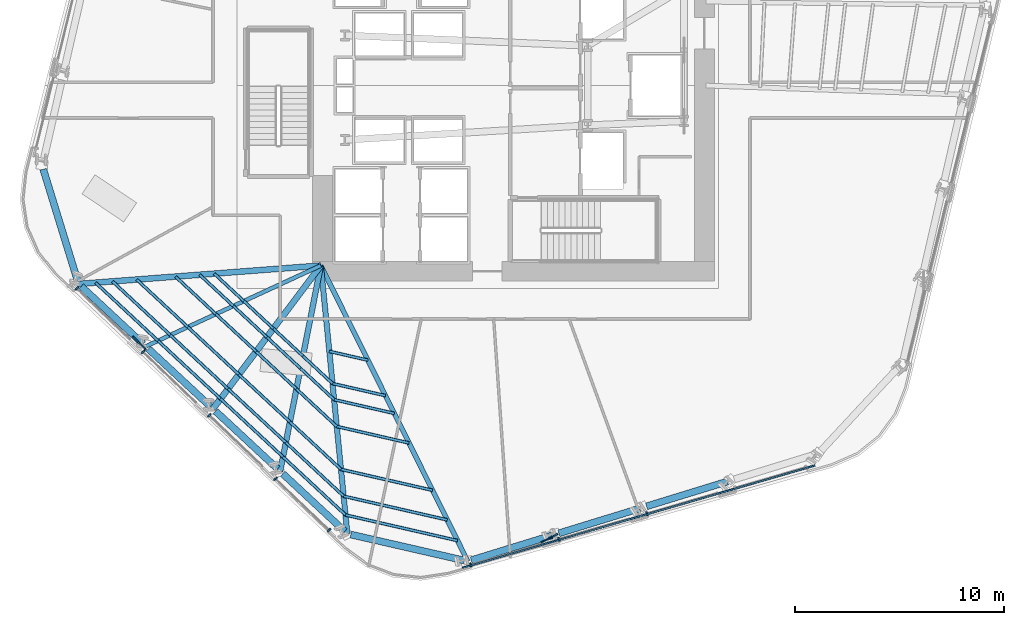
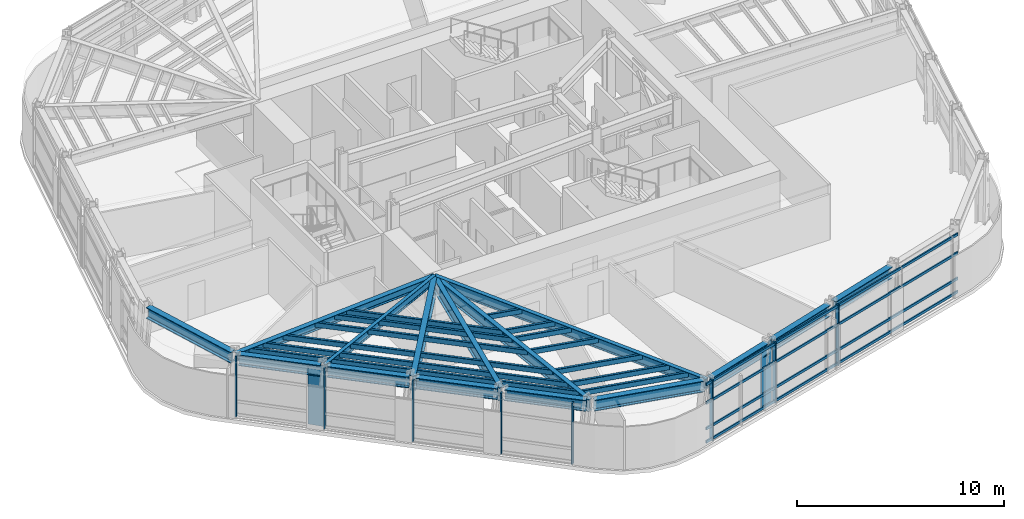
# One storey, part 2 of 15: 45 members, 15 beams, 2 elements without a shape of their own.
"""IFC4 building model written with IfcOpenShell, lengths in metres."""

from ifc_helpers import new_model, si_unit, direction, frame, origin, origin_2d, place, context, subcontext, project, spatial, rectangle, hollow_rectangle, i_section, extrude, material, layer, layer_set, material_profile, profile_set, type_object, element, aggregate, save


model = new_model("IFC4")

# Units and contexts
model_context = context("Model", 3, precision=1e-05, world=origin(), true_north=direction((0.0, 1.0)))
body_context = subcontext(model_context, "Body", "Model", "MODEL_VIEW")
ifc_project = project(units=[si_unit("LENGTHUNIT", "METRE"), si_unit("AREAUNIT", "SQUARE_METRE"), si_unit("VOLUMEUNIT", "CUBIC_METRE"), si_unit("PLANEANGLEUNIT", "RADIAN"), si_unit("MASSUNIT", "GRAM", prefix="KILO")], contexts=[model_context])

# Site, building, storey
site_placement = place(None, origin())
site = spatial("IfcSite", under=ifc_project, at=site_placement, CompositionType="ELEMENT")
building_placement = place(site_placement, origin())
building = spatial("IfcBuilding", under=site, at=building_placement, Name="Valkerne Bourse Tower", CompositionType="ELEMENT")
storey_placement = place(building_placement, frame((0.0, 0.0, 93.39990234375)))
storey = spatial("IfcBuildingStorey", under=building, at=storey_placement, Name="L23", CompositionType="ELEMENT", Elevation=93.39990234375)

# Beams
ifc_material_1 = material(Name="Steel ASTM A992", Category="steel")
ifc_material_profile_1 = material_profile(ifc_material_1, i_section(OverallWidth=0.1904296875, OverallDepth=0.457275390625, WebThickness=0.009033203125, FlangeThickness=0.014404296875, FilletRadius=0.01513671875, at=origin_2d()), Name="W18X50")
ifc_profile_set_1 = profile_set([ifc_material_profile_1], Name="Steel ASTM A992")
beam_type_1 = type_object("IfcBeamType", Name="BM-W18X50", PredefinedType="JOIST", material=ifc_profile_set_1)
beam_1_placement = place(storey_placement, frame((29.234375, 14.535888671875, 3.3515625), z_axis=(0.907839155425, 0.419318575641, 0.0), x_axis=(-0.419318575641, 0.907839155425, 0.0)))
element("IfcBeam", 1, at=beam_1_placement, inside=storey, type_object=beam_type_1, Name="L23 Radial Composite Floor Beam 16", PredefinedType="JOIST", context=body_context, shape_type="SweptSolid", body=[
    extrude(i_section(OverallWidth=0.1904296875, OverallDepth=0.457275390625, WebThickness=0.009033203125, FlangeThickness=0.014404296875, FilletRadius=0.01513671875, at=origin_2d()), origin(), (0.0, 0.0, 1.0), 9.215087890625),
])
ifc_material_profile_2 = material_profile(ifc_material_1, i_section(OverallWidth=0.279296875, OverallDepth=0.46240234375, WebThickness=0.0107421875, FlangeThickness=0.017333984375, FilletRadius=0.017822265625, at=origin_2d()), Name="W18X76")
ifc_profile_set_2 = profile_set([ifc_material_profile_2], Name="Steel ASTM A992")
beam_type_2 = type_object("IfcBeamType", Name="BM-W18X76", PredefinedType="BEAM", material=ifc_profile_set_2)
beam_2_placement = place(storey_placement, frame((26.023681640625, 17.51953125, 3.348876953125), z_axis=(0.997120782302, 0.075829713836, 0.0), x_axis=(-0.075829713836, 0.997120782302, 0.0)))
element("IfcBeam", 2, at=beam_2_placement, inside=storey, type_object=beam_type_2, Name="L23 Radial Composite Floor Beam 15", PredefinedType="BEAM", context=body_context, shape_type="SweptSolid", body=[
    extrude(i_section(OverallWidth=0.279296875, OverallDepth=0.46240234375, WebThickness=0.0107421875, FlangeThickness=0.017333984375, FilletRadius=0.017822265625, at=origin_2d()), origin(), (0.0, 0.0, 1.0), 11.60986328125),
])
ifc_material_profile_3 = material_profile(ifc_material_1, i_section(OverallWidth=0.330078125, OverallDepth=0.647705078125, WebThickness=0.0205078125, FlangeThickness=0.037109375, FilletRadius=0.020263671875, at=origin_2d()), Name="W24X192")
ifc_profile_set_3 = profile_set([ifc_material_profile_3], Name="Steel ASTM A992")
beam_type_3 = type_object("IfcBeamType", Name="BM-W24X192", PredefinedType="SPANDREL", material=ifc_profile_set_3)
beam_3_placement = place(storey_placement, frame((24.33740234375, 23.00048828125, 3.25634765625), z_axis=(0.294042686134, -0.955792288487, 0.0), x_axis=(0.955792288487, 0.294042686134, 0.0)))
element("IfcBeam", 3, at=beam_3_placement, inside=storey, type_object=beam_type_3, Name="L23 Hexagonal Spandrel Ring Beam 14", PredefinedType="SPANDREL", context=body_context, shape_type="SweptSolid", body=[
    extrude(i_section(OverallWidth=0.330078125, OverallDepth=0.647705078125, WebThickness=0.0205078125, FlangeThickness=0.037109375, FilletRadius=0.020263671875, at=origin_2d()), origin(), (0.0, 0.0, 1.0), 5.564697265625),
])
for number, where, z_axis, x_axis, name in (
    (4, (26.148193359375, 17.40380859375, 3.25634765625), (0.732537504185, -0.680726674196, 0.0), (0.680726674196, 0.732537504185, 0.0), "L23 Hexagonal Spandrel Ring Beam 15"),
    (5, (29.35888671875, 14.420166015625, 3.25634765625), (0.732537504185, -0.680726674196, 0.0), (0.680726674196, 0.732537504185, 0.0), "L23 Hexagonal Spandrel Ring Beam 16"),
):
    element("IfcBeam", number, at=place(storey_placement, frame(where, z_axis=z_axis, x_axis=x_axis)), inside=storey, type_object=beam_type_3, Name=name, PredefinedType="SPANDREL", context=body_context, shape_type="SweptSolid", body=[
        extrude(i_section(OverallWidth=0.330078125, OverallDepth=0.647705078125, WebThickness=0.0205078125, FlangeThickness=0.037109375, FilletRadius=0.020263671875, at=origin_2d()), origin(), (0.0, 0.0, 1.0), 4.04296875),
    ])
beam_4_placement = place(storey_placement, frame((32.569580078125, 11.4365234375, 3.25634765625), z_axis=(0.732565484331, -0.68069656321, 0.0), x_axis=(0.68069656321, 0.732565484331, 0.0)))
element("IfcBeam", 6, at=beam_4_placement, inside=storey, type_object=beam_type_3, Name="L23 Hexagonal Spandrel Ring Beam 17", PredefinedType="SPANDREL", context=body_context, shape_type="SweptSolid", body=[
    extrude(i_section(OverallWidth=0.330078125, OverallDepth=0.647705078125, WebThickness=0.0205078125, FlangeThickness=0.037109375, FilletRadius=0.020263671875, at=origin_2d()), origin(), (0.0, 0.0, 1.0), 4.043212890625),
])
beam_5_placement = place(storey_placement, frame((35.780517578125, 8.452880859375, 3.25634765625), z_axis=(0.732537504185, -0.680726674196, 0.0), x_axis=(0.680726674196, 0.732537504185, 0.0)))
element("IfcBeam", 7, at=beam_5_placement, inside=storey, type_object=beam_type_3, Name="L23 Hexagonal Spandrel Ring Beam 18", PredefinedType="SPANDREL", context=body_context, shape_type="SweptSolid", body=[
    extrude(i_section(OverallWidth=0.330078125, OverallDepth=0.647705078125, WebThickness=0.0205078125, FlangeThickness=0.037109375, FilletRadius=0.020263671875, at=origin_2d()), origin(), (0.0, 0.0, 1.0), 4.04296875),
])
beam_6_placement = place(storey_placement, frame((39.0322265625, 5.547119140625, 3.25634765625), z_axis=(0.974766934705, -0.22322505013, 0.0), x_axis=(0.22322505013, 0.974766934705, 0.0)))
element("IfcBeam", 8, at=beam_6_placement, inside=storey, type_object=beam_type_3, Name="L23 Hexagonal Spandrel Ring Beam 19", PredefinedType="SPANDREL", context=body_context, shape_type="SweptSolid", body=[
    extrude(i_section(OverallWidth=0.330078125, OverallDepth=0.647705078125, WebThickness=0.0205078125, FlangeThickness=0.037109375, FilletRadius=0.020263671875, at=origin_2d()), origin(), (0.0, 0.0, 1.0), 5.564697265625),
])
for number, where, z_axis, x_axis, name in (
    (9, (44.78466796875, 4.31689453125, 3.25634765625), (0.955798591435, 0.294022197479, 0.0), (-0.294022197479, 0.955798591435, 0.0), "L23 Hexagonal Spandrel Ring Beam 20"),
    (10, (48.973876953125, 5.605712890625, 3.25634765625), (0.955798591435, 0.294022197479, 0.0), (-0.294022197479, 0.955798591435, 0.0), "L23 Hexagonal Spandrel Ring Beam 21"),
    (11, (53.1630859375, 6.89453125, 3.25634765625), (0.955798591435, 0.294022197479, 0.0), (-0.294022197479, 0.955798591435, 0.0), "L23 Hexagonal Spandrel Ring Beam 22"),
):
    element("IfcBeam", number, at=place(storey_placement, frame(where, z_axis=z_axis, x_axis=x_axis)), inside=storey, type_object=beam_type_3, Name=name, PredefinedType="SPANDREL", context=body_context, shape_type="SweptSolid", body=[
        extrude(i_section(OverallWidth=0.330078125, OverallDepth=0.647705078125, WebThickness=0.0205078125, FlangeThickness=0.037109375, FilletRadius=0.020263671875, at=origin_2d()), origin(), (0.0, 0.0, 1.0), 4.04296875),
    ])
ifc_material_profile_4 = material_profile(ifc_material_1, i_section(OverallWidth=0.228271484375, OverallDepth=0.607177734375, WebThickness=0.01123046875, FlangeThickness=0.017333984375, FilletRadius=0.017822265625, at=origin_2d()), Name="W24X76")
ifc_profile_set_4 = profile_set([ifc_material_profile_4], Name="Steel ASTM A992")
beam_type_4 = type_object("IfcBeamType", Name="BM-W24X76", PredefinedType="JOIST", material=ifc_profile_set_4)
beam_7_placement = place(storey_placement, frame((44.622314453125, 4.266845703125, 3.276611328125), z_axis=(-0.444965929482, 0.895547498238, 0.0), x_axis=(-0.895547498238, -0.444965929482, 0.0)))
element("IfcBeam", 12, at=beam_7_placement, inside=storey, type_object=beam_type_4, Name="L23 Radial Composite Floor Beam 20", PredefinedType="JOIST", context=body_context, shape_type="SweptSolid", body=[
    extrude(i_section(OverallWidth=0.228271484375, OverallDepth=0.607177734375, WebThickness=0.01123046875, FlangeThickness=0.017333984375, FilletRadius=0.017822265625, at=origin_2d()), origin(), (0.0, 0.0, 1.0), 15.781494140625),
])
ifc_material_profile_5 = material_profile(ifc_material_1, i_section(OverallWidth=0.255859375, OverallDepth=0.693359375, WebThickness=0.014404296875, FlangeThickness=0.023681640625, FilletRadius=0.02294921875, at=origin_2d()), Name="W27X114")
ifc_profile_set_5 = profile_set([ifc_material_profile_5], Name="Steel ASTM A992")
beam_type_5 = type_object("IfcBeamType", Name="BM-W27X114", PredefinedType="BEAM", material=ifc_profile_set_5)
beam_8_placement = place(storey_placement, frame((38.86669921875, 5.585205078125, 3.2333984375), z_axis=(-0.098360468294, 0.99515085202, 0.0), x_axis=(-0.99515085202, -0.098360468294, 0.0)))
element("IfcBeam", 13, at=beam_8_placement, inside=storey, type_object=beam_type_5, Name="L23 Radial Composite Floor Beam 19", PredefinedType="BEAM", context=body_context, shape_type="SweptSolid", body=[
    extrude(i_section(OverallWidth=0.255859375, OverallDepth=0.693359375, WebThickness=0.014404296875, FlangeThickness=0.023681640625, FilletRadius=0.02294921875, at=origin_2d()), origin(), (0.0, 0.0, 1.0), 12.877197265625),
])
ifc_material_profile_6 = material_profile(ifc_material_1, i_section(OverallWidth=0.26806640625, OverallDepth=0.76953125, WebThickness=0.015625, FlangeThickness=0.025390625, FilletRadius=0.025390625, at=origin_2d()), Name="W30X132")
ifc_profile_set_6 = profile_set([ifc_material_profile_6], Name="Steel ASTM A992")
beam_type_6 = type_object("IfcBeamType", Name="BM-W30X132", PredefinedType="BEAM", material=ifc_profile_set_6)
beam_9_placement = place(storey_placement, frame((35.656005859375, 8.568603515625, 3.1953125), z_axis=(0.193988748025, 0.981003754141, 0.0), x_axis=(-0.981003754141, 0.193988748025, 0.0)))
element("IfcBeam", 14, at=beam_9_placement, inside=storey, type_object=beam_type_6, Name="L23 Radial Composite Floor Beam 18", PredefinedType="BEAM", context=body_context, shape_type="SweptSolid", body=[
    extrude(i_section(OverallWidth=0.26806640625, OverallDepth=0.76953125, WebThickness=0.015625, FlangeThickness=0.025390625, FilletRadius=0.025390625, at=origin_2d()), origin(), (0.0, 0.0, 1.0), 10.021728515625),
])
ifc_material_profile_7 = material_profile(ifc_material_1, i_section(OverallWidth=0.2919921875, OverallDepth=0.8583984375, WebThickness=0.01708984375, FlangeThickness=0.031005859375, FilletRadius=0.025390625, at=origin_2d()), Name="W33X169")
ifc_profile_set_7 = profile_set([ifc_material_profile_7], Name="Steel ASTM A992")
beam_type_7 = type_object("IfcBeamType", Name="BM-W33X169", PredefinedType="BEAM", material=ifc_profile_set_7)
beam_10_placement = place(storey_placement, frame((32.445068359375, 11.55224609375, 3.15087890625), z_axis=(0.601439177682, 0.798918591315, 0.0), x_axis=(-0.798918591315, 0.601439177682, 0.0)))
element("IfcBeam", 15, at=beam_10_placement, inside=storey, type_object=beam_type_7, Name="L23 Radial Composite Floor Beam 17", PredefinedType="BEAM", context=body_context, shape_type="SweptSolid", body=[
    extrude(i_section(OverallWidth=0.2919921875, OverallDepth=0.8583984375, WebThickness=0.01708984375, FlangeThickness=0.031005859375, FilletRadius=0.025390625, at=origin_2d()), origin(), (0.0, 0.0, 1.0), 8.571044921875),
])

# Curtain wall, members
ifc_material_2 = material(Name="Aluminium AA 6063-T6", Category="aluminium")
ifc_layer = layer(ifc_material_2, 0.22998046875)
ifc_layer_set = layer_set([ifc_layer], Name="Aluminium AA 6063-T6")
curtain_wall_type = type_object("IfcCurtainWallType", Name="CW-02", PredefinedType="NOTDEFINED", material=ifc_layer_set)
curtain_wall_1_placement = place(storey_placement, origin())
curtain_wall_1 = element("IfcCurtainWall", 16, at=curtain_wall_1_placement, inside=storey, type_object=curtain_wall_type, Name="L23 Hexagonal Stick Curtain Wall Face 4", PredefinedType="NOTDEFINED")
ifc_material_profile_8 = material_profile(ifc_material_2, rectangle(XDim=0.074951171875, YDim=0.199951171875, at=origin_2d()), Name="CWM-75X200")
ifc_profile_set_8 = profile_set([ifc_material_profile_8], Name="Aluminium AA 6063-T6")
member_type_1 = type_object("IfcMemberType", Name="CW-MUL-220X75", PredefinedType="MULLION", material=ifc_profile_set_8)
member_1_placement = place(storey_placement, frame((25.945068359375, 17.31103515625, 0.0), z_axis=(0.0, 0.0, 1.0), x_axis=(0.721758795279, -0.692144667997, 0.0)))
member_1 = element("IfcMember", 17, at=member_1_placement, type_object=member_type_1, Name="CW-L23-F4 Jamb Mullion 00A", PredefinedType="MULLION", context=body_context, shape_type="SweptSolid", body=[
    extrude(rectangle(XDim=0.074951171875, YDim=0.199951171875, at=origin_2d()), origin(), (0.0, 0.0, 1.0), 3.580078125),
])
member_2_placement = place(storey_placement, frame((29.108642578125, 14.27734375, 0.0), z_axis=(0.0, 0.0, 1.0), x_axis=(0.721758795279, -0.692144667997, 0.0)))
member_2 = element("IfcMember", 18, at=member_2_placement, type_object=member_type_1, Name="CW-L23-F4 Jamb Mullion 01A", PredefinedType="MULLION", context=body_context, shape_type="SweptSolid", body=[
    extrude(rectangle(XDim=0.074951171875, YDim=0.199951171875, at=origin_2d()), origin(), (0.0, 0.0, 1.0), 3.580078125),
])
member_3_placement = place(storey_placement, frame((32.272216796875, 11.24365234375, 0.0), z_axis=(0.0, 0.0, 1.0), x_axis=(0.72177019295, -0.69213278247, 0.0)))
member_3 = element("IfcMember", 19, at=member_3_placement, type_object=member_type_1, Name="CW-L23-F4 Jamb Mullion 02A", PredefinedType="MULLION", context=body_context, shape_type="SweptSolid", body=[
    extrude(rectangle(XDim=0.074951171875, YDim=0.199951171875, at=origin_2d()), origin(), (0.0, 0.0, 1.0), 3.580078125),
])
member_4_placement = place(storey_placement, frame((35.435546875, 8.2099609375, 0.0), z_axis=(0.0, 0.0, 1.0), x_axis=(0.721747865057, -0.6921560657, 0.0)))
member_4 = element("IfcMember", 20, at=member_4_placement, type_object=member_type_1, Name="CW-L23-F4 Jamb Mullion 03A", PredefinedType="MULLION", context=body_context, shape_type="SweptSolid", body=[
    extrude(rectangle(XDim=0.074951171875, YDim=0.199951171875, at=origin_2d()), origin(), (0.0, 0.0, 1.0), 3.580078125),
])
member_5_placement = place(storey_placement, frame((37.99267578125, 5.7578125, 0.0), z_axis=(0.0, 0.0, 1.0), x_axis=(0.721747865057, -0.6921560657, 0.0)))
member_5 = element("IfcMember", 21, at=member_5_placement, type_object=member_type_1, Name="CW-L23-F4 Jamb Mullion 03B", PredefinedType="MULLION", context=body_context, shape_type="SweptSolid", body=[
    extrude(rectangle(XDim=0.074951171875, YDim=0.199951171875, at=origin_2d()), origin(), (0.0, 0.0, 1.0), 3.580078125),
])
aggregate(curtain_wall_1, [member_1, member_2, member_3, member_4, member_5])

curtain_wall_2_placement = place(storey_placement, origin())
curtain_wall_2 = element("IfcCurtainWall", 22, at=curtain_wall_2_placement, inside=storey, type_object=curtain_wall_type, Name="L23 Hexagonal Stick Curtain Wall Face 5", PredefinedType="NOTDEFINED")
member_6_placement = place(storey_placement, frame((44.763671875, 4.0947265625, 0.0), z_axis=(0.0, 0.0, 1.0), x_axis=(0.960293593209, 0.278991424317, 0.0)))
member_6 = element("IfcMember", 23, at=member_6_placement, type_object=member_type_1, Name="CW-L23-F5 Jamb Mullion 00A", PredefinedType="MULLION", context=body_context, shape_type="SweptSolid", body=[
    extrude(rectangle(XDim=0.074951171875, YDim=0.199951171875, at=origin_2d()), origin(), (0.0, 0.0, 1.0), 3.580078125),
])
member_7_placement = place(storey_placement, frame((48.972412109375, 5.3173828125, 0.0), z_axis=(0.0, 0.0, 1.0), x_axis=(0.960295369044, 0.278985311785, 0.0)))
member_7 = element("IfcMember", 24, at=member_7_placement, type_object=member_type_1, Name="CW-L23-F5 Jamb Mullion 01A", PredefinedType="MULLION", context=body_context, shape_type="SweptSolid", body=[
    extrude(rectangle(XDim=0.074951171875, YDim=0.199951171875, at=origin_2d()), origin(), (0.0, 0.0, 1.0), 3.580078125),
])
member_8_placement = place(storey_placement, frame((53.181396484375, 6.540283203125, 0.0), z_axis=(0.0, 0.0, 1.0), x_axis=(0.960295369044, 0.278985311785, 0.0)))
member_8 = element("IfcMember", 25, at=member_8_placement, type_object=member_type_1, Name="CW-L23-F5 Jamb Mullion 02A", PredefinedType="MULLION", context=body_context, shape_type="SweptSolid", body=[
    extrude(rectangle(XDim=0.074951171875, YDim=0.199951171875, at=origin_2d()), origin(), (0.0, 0.0, 1.0), 3.580078125),
])
ifc_material_profile_9 = material_profile(ifc_material_2, rectangle(XDim=0.074951171875, YDim=0.14990234375, at=origin_2d()), Name="CWT-75X150")
ifc_profile_set_9 = profile_set([ifc_material_profile_9], Name="Aluminium AA 6063-T6")
member_type_2 = type_object("IfcMemberType", Name="CW-TRN-180X65", PredefinedType="USERDEFINED", material=ifc_profile_set_9)
member_9_placement = place(storey_placement, frame((44.36572265625, 3.958251953125, 0.1201171875), z_axis=(0.960292685969, 0.278994547033, 0.0), x_axis=(-0.278994547033, 0.960292685969, 0.0)))
member_9 = element("IfcMember", 26, at=member_9_placement, type_object=member_type_2, Name="CW-L23-F5 Continuous Face Transom 1", ObjectType="TRANSOM", PredefinedType="USERDEFINED", context=body_context, shape_type="SweptSolid", body=[
    extrude(rectangle(XDim=0.074951171875, YDim=0.14990234375, at=origin_2d()), origin(), (0.0, 0.0, 1.0), 17.531982421875),
])
member_10_placement = place(storey_placement, frame((44.36572265625, 3.958251953125, 0.900146484375), z_axis=(0.960292685969, 0.278994547033, 0.0), x_axis=(-0.278994547033, 0.960292685969, 0.0)))
member_10 = element("IfcMember", 27, at=member_10_placement, type_object=member_type_2, Name="CW-L23-F5 Continuous Face Transom 2", ObjectType="TRANSOM", PredefinedType="USERDEFINED", context=body_context, shape_type="SweptSolid", body=[
    extrude(rectangle(XDim=0.074951171875, YDim=0.14990234375, at=origin_2d()), origin(), (0.0, 0.0, 1.0), 17.531982421875),
])
member_11_placement = place(storey_placement, frame((44.36572265625, 3.958251953125, 2.400146484375), z_axis=(0.960292685969, 0.278994547033, 0.0), x_axis=(-0.278994547033, 0.960292685969, 0.0)))
member_11 = element("IfcMember", 28, at=member_11_placement, type_object=member_type_2, Name="CW-L23-F5 Continuous Face Transom 3", ObjectType="TRANSOM", PredefinedType="USERDEFINED", context=body_context, shape_type="SweptSolid", body=[
    extrude(rectangle(XDim=0.074951171875, YDim=0.14990234375, at=origin_2d()), origin(), (0.0, 0.0, 1.0), 17.531982421875),
])
member_12_placement = place(storey_placement, frame((44.36572265625, 3.958251953125, 3.5), z_axis=(0.960292685969, 0.278994547033, 0.0), x_axis=(-0.278994547033, 0.960292685969, 0.0)))
member_12 = element("IfcMember", 29, at=member_12_placement, type_object=member_type_2, Name="CW-L23-F5 Continuous Face Transom 4", ObjectType="TRANSOM", PredefinedType="USERDEFINED", context=body_context, shape_type="SweptSolid", body=[
    extrude(rectangle(XDim=0.074951171875, YDim=0.14990234375, at=origin_2d()), origin(), (0.0, 0.0, 1.0), 17.531982421875),
])
aggregate(curtain_wall_2, [member_9, member_10, member_11, member_12, member_6, member_7, member_8])

# Members
ifc_material_3 = material(Name="Bronze Anodised Aluminium AA 6063-T6", Category="aluminium")
ifc_material_profile_10 = material_profile(ifc_material_3, rectangle(XDim=0.070068359375, YDim=0.89990234375, at=origin_2d()), Name="FIN-70X900")
ifc_profile_set_10 = profile_set([ifc_material_profile_10], Name="Bronze Anodised Aluminium AA 6063-T6")
member_type_3 = type_object("IfcMemberType", Name="FIN-SOLAR-900", PredefinedType="USERDEFINED", material=ifc_profile_set_10)
for number, where, z_axis, x_axis, name in (
    (30, (28.93017578125, 14.697998046875, 0.004150390625), (0.0, 0.0, 1.0), (-0.720098346533, -0.693872013646, 0.0), "L23 Bronze Anodised Solar Fin F4-01"),
    (31, (48.518798828125, 5.373291015625, 0.004150390625), (0.0, 0.0, 1.0), (0.454509261836, -0.890742011418, 0.0), "L23 Bronze Anodised Solar Fin F5-01"),
):
    element("IfcMember", number, at=place(storey_placement, frame(where, z_axis=z_axis, x_axis=x_axis)), inside=storey, type_object=member_type_3, Name=name, ObjectType="SOLAR_FIN", PredefinedType="USERDEFINED", context=body_context, shape_type="SweptSolid", body=[
        extrude(rectangle(XDim=0.070068359375, YDim=0.89990234375, at=origin_2d()), origin(), (0.0, 0.0, 1.0), 3.572021484375),
    ])
ifc_material_4 = material(Name="Steel ASTM A500 Grade C", Category="steel")
ifc_material_profile_11 = material_profile(ifc_material_4, hollow_rectangle(XDim=0.14990234375, YDim=0.300048828125, WallThickness=0.012451171875, OuterFilletRadius=0.02490234375, at=origin_2d()), Name="HSS300X150X12.5")
ifc_profile_set_11 = profile_set([ifc_material_profile_11], Name="Steel ASTM A500 Grade C")
member_type_4 = type_object("IfcMemberType", Name="MBR-HSS300X150X12.5", PredefinedType="PURLIN", material=ifc_profile_set_11)
member_13_placement = place(storey_placement, frame((38.00537109375, 14.29931640625, 3.420166015625), z_axis=(0.974755757341, -0.223273853219, 0.0), x_axis=(0.223273853219, 0.974755757341, 0.0)))
element("IfcMember", 32, at=member_13_placement, inside=storey, type_object=member_type_4, Name="L23 Secondary Composite Floor Purlin I-19", PredefinedType="PURLIN", context=body_context, shape_type="SweptSolid", body=[
    extrude(hollow_rectangle(XDim=0.14990234375, YDim=0.300048828125, WallThickness=0.012451171875, OuterFilletRadius=0.02490234375, at=origin_2d()), origin(), (0.0, 0.0, 1.0), 1.889404296875),
])
member_14_placement = place(storey_placement, frame((32.50634765625, 18.0126953125, 3.420166015625), z_axis=(0.732518423737, -0.6807472063, 0.0), x_axis=(0.6807472063, 0.732518423737, 0.0)))
element("IfcMember", 33, at=member_14_placement, inside=storey, type_object=member_type_4, Name="L23 Secondary Composite Floor Purlin K-15", PredefinedType="PURLIN", context=body_context, shape_type="SweptSolid", body=[
    extrude(hollow_rectangle(XDim=0.14990234375, YDim=0.300048828125, WallThickness=0.012451171875, OuterFilletRadius=0.02490234375, at=origin_2d()), origin(), (0.0, 0.0, 1.0), 1.9287109375),
])
for number, where, z_axis, x_axis, name in (
    (34, (33.919189453125, 16.69970703125, 3.420166015625), (0.732522885593, -0.680742405087, 0.0), (0.680742405087, 0.732522885593, 0.0), "L23 Secondary Composite Floor Purlin K-16"),
    (35, (35.331787109375, 15.386962890625, 3.420166015625), (0.73258154639, -0.680679276817, 0.0), (0.680679276817, 0.73258154639, 0.0), "L23 Secondary Composite Floor Purlin K-17"),
    (36, (36.74462890625, 14.07421875, 3.420166015625), (0.732522885593, -0.680742405087, 0.0), (0.680742405087, 0.732522885593, 0.0), "L23 Secondary Composite Floor Purlin K-18"),
):
    element("IfcMember", number, at=place(storey_placement, frame(where, z_axis=z_axis, x_axis=x_axis)), inside=storey, type_object=member_type_4, Name=name, PredefinedType="PURLIN", context=body_context, shape_type="SweptSolid", body=[
        extrude(hollow_rectangle(XDim=0.14990234375, YDim=0.300048828125, WallThickness=0.012451171875, OuterFilletRadius=0.02490234375, at=origin_2d()), origin(), (0.0, 0.0, 1.0), 1.928466796875),
    ])
member_15_placement = place(storey_placement, frame((38.1572265625, 12.761474609375, 3.420166015625), z_axis=(0.974755757341, -0.223273853219, 0.0), x_axis=(0.223273853219, 0.974755757341, 0.0)))
element("IfcMember", 37, at=member_15_placement, inside=storey, type_object=member_type_4, Name="L23 Secondary Composite Floor Purlin K-19", PredefinedType="PURLIN", context=body_context, shape_type="SweptSolid", body=[
    extrude(hollow_rectangle(XDim=0.14990234375, YDim=0.300048828125, WallThickness=0.012451171875, OuterFilletRadius=0.02490234375, at=origin_2d()), origin(), (0.0, 0.0, 1.0), 2.59814453125),
])
for number, where, z_axis, x_axis, name in (
    (38, (31.811767578125, 17.959716796875, 3.420166015625), (0.732587133196, -0.680673263964, 0.0), (0.680673263964, 0.732587133196, 0.0), "L23 Secondary Composite Floor Purlin M-15"),
    (39, (33.417236328125, 16.468017578125, 3.420166015625), (0.732535512003, -0.680728817999, 0.0), (0.680728817999, 0.732535512003, 0.0), "L23 Secondary Composite Floor Purlin M-16"),
):
    element("IfcMember", number, at=place(storey_placement, frame(where, z_axis=z_axis, x_axis=x_axis)), inside=storey, type_object=member_type_4, Name=name, PredefinedType="PURLIN", context=body_context, shape_type="SweptSolid", body=[
        extrude(hollow_rectangle(XDim=0.14990234375, YDim=0.300048828125, WallThickness=0.012451171875, OuterFilletRadius=0.02490234375, at=origin_2d()), origin(), (0.0, 0.0, 1.0), 2.19140625),
    ])
for number, where, z_axis, x_axis, name in (
    (40, (35.0224609375, 14.976318359375, 3.420166015625), (0.732531583511, -0.680733045443, 0.0), (0.680733045443, 0.732531583511, 0.0), "L23 Secondary Composite Floor Purlin M-17"),
    (41, (36.6279296875, 13.484375, 3.420166015625), (0.732531583511, -0.680733045443, 0.0), (0.680733045443, 0.732531583511, 0.0), "L23 Secondary Composite Floor Purlin M-18"),
):
    element("IfcMember", number, at=place(storey_placement, frame(where, z_axis=z_axis, x_axis=x_axis)), inside=storey, type_object=member_type_4, Name=name, PredefinedType="PURLIN", context=body_context, shape_type="SweptSolid", body=[
        extrude(hollow_rectangle(XDim=0.14990234375, YDim=0.300048828125, WallThickness=0.012451171875, OuterFilletRadius=0.02490234375, at=origin_2d()), origin(), (0.0, 0.0, 1.0), 2.191650390625),
    ])
member_16_placement = place(storey_placement, frame((38.2333984375, 11.992431640625, 3.420166015625), z_axis=(0.974771691913, -0.223204275598, 0.0), x_axis=(0.223204275598, 0.974771691913, 0.0)))
element("IfcMember", 42, at=member_16_placement, inside=storey, type_object=member_type_4, Name="L23 Secondary Composite Floor Purlin M-19", PredefinedType="PURLIN", context=body_context, shape_type="SweptSolid", body=[
    extrude(hollow_rectangle(XDim=0.14990234375, YDim=0.300048828125, WallThickness=0.012451171875, OuterFilletRadius=0.02490234375, at=origin_2d()), origin(), (0.0, 0.0, 1.0), 2.9521484375),
])
for number, where, z_axis, x_axis, name in (
    (43, (28.802001953125, 17.730712890625, 3.420166015625), (0.732576784402, -0.680684401875, 0.0), (0.680684401875, 0.732576784402, 0.0), "L23 Secondary Composite Floor Purlin O-15"),
    (44, (31.2421875, 15.46337890625, 3.420166015625), (0.732540236691, -0.680723733705, 0.0), (0.680723733705, 0.732540236691, 0.0), "L23 Secondary Composite Floor Purlin O-16"),
    (45, (33.682373046875, 13.19580078125, 3.420166015625), (0.732540236691, -0.680723733705, 0.0), (0.680723733705, 0.732540236691, 0.0), "L23 Secondary Composite Floor Purlin O-17"),
    (46, (36.12255859375, 10.92822265625, 3.420166015625), (0.732506272173, -0.680760281764, 0.0), (0.680760281764, 0.732506272173, 0.0), "L23 Secondary Composite Floor Purlin O-18"),
):
    element("IfcMember", number, at=place(storey_placement, frame(where, z_axis=z_axis, x_axis=x_axis)), inside=storey, type_object=member_type_4, Name=name, PredefinedType="PURLIN", context=body_context, shape_type="SweptSolid", body=[
        extrude(hollow_rectangle(XDim=0.14990234375, YDim=0.300048828125, WallThickness=0.012451171875, OuterFilletRadius=0.02490234375, at=origin_2d()), origin(), (0.0, 0.0, 1.0), 3.3310546875),
    ])
member_17_placement = place(storey_placement, frame((38.5625, 8.66064453125, 3.420166015625), z_axis=(0.974758469228, -0.22326201349, 0.0), x_axis=(0.22326201349, 0.974758469228, 0.0)))
element("IfcMember", 47, at=member_17_placement, inside=storey, type_object=member_type_4, Name="L23 Secondary Composite Floor Purlin O-19", PredefinedType="PURLIN", context=body_context, shape_type="SweptSolid", body=[
    extrude(hollow_rectangle(XDim=0.14990234375, YDim=0.300048828125, WallThickness=0.012451171875, OuterFilletRadius=0.02490234375, at=origin_2d()), origin(), (0.0, 0.0, 1.0), 4.48779296875),
])
member_18_placement = place(storey_placement, frame((30.654296875, 17.87158203125, 3.420166015625), z_axis=(0.732535512003, -0.680728817999, 0.0), x_axis=(0.680728817999, 0.732535512003, 0.0)))
element("IfcMember", 48, at=member_18_placement, inside=storey, type_object=member_type_4, Name="L23 Secondary Composite Floor Purlin Z-15", PredefinedType="PURLIN", context=body_context, shape_type="SweptSolid", body=[
    extrude(hollow_rectangle(XDim=0.14990234375, YDim=0.300048828125, WallThickness=0.012451171875, OuterFilletRadius=0.02490234375, at=origin_2d()), origin(), (0.0, 0.0, 1.0), 2.629638671875),
])
for number, where, z_axis, x_axis, name in (
    (49, (32.58056640625, 16.08154296875, 3.420166015625), (0.732578530542, -0.680682522612, 0.0), (0.680682522612, 0.732578530542, 0.0), "L23 Secondary Composite Floor Purlin Z-16"),
    (50, (34.507080078125, 14.29150390625, 3.420166015625), (0.732532238176, -0.680732340963, 0.0), (0.680732340963, 0.732532238176, 0.0), "L23 Secondary Composite Floor Purlin Z-17"),
    (51, (36.43359375, 12.501220703125, 3.420166015625), (0.732578530542, -0.680682522612, 0.0), (0.680682522612, 0.732578530542, 0.0), "L23 Secondary Composite Floor Purlin Z-18"),
):
    element("IfcMember", number, at=place(storey_placement, frame(where, z_axis=z_axis, x_axis=x_axis)), inside=storey, type_object=member_type_4, Name=name, PredefinedType="PURLIN", context=body_context, shape_type="SweptSolid", body=[
        extrude(hollow_rectangle(XDim=0.14990234375, YDim=0.300048828125, WallThickness=0.012451171875, OuterFilletRadius=0.02490234375, at=origin_2d()), origin(), (0.0, 0.0, 1.0), 2.6298828125),
    ])
member_19_placement = place(storey_placement, frame((38.360107421875, 10.711181640625, 3.420166015625), z_axis=(0.974752321663, -0.223288851965, 0.0), x_axis=(0.223288851965, 0.974752321663, 0.0)))
element("IfcMember", 52, at=member_19_placement, inside=storey, type_object=member_type_4, Name="L23 Secondary Composite Floor Purlin Z-19", PredefinedType="PURLIN", context=body_context, shape_type="SweptSolid", body=[
    extrude(hollow_rectangle(XDim=0.14990234375, YDim=0.300048828125, WallThickness=0.012451171875, OuterFilletRadius=0.02490234375, at=origin_2d()), origin(), (0.0, 0.0, 1.0), 3.54248046875),
])
for number, where, z_axis, x_axis, name in (
    (53, (27.644287109375, 17.642822265625, 3.420166015625), (0.732539687356, -0.680724324855, 0.0), (0.680724324855, 0.732539687356, 0.0), "L23 Secondary Composite Floor Purlin T-15"),
    (54, (30.405517578125, 15.076904296875, 3.420166015625), (0.732539687356, -0.680724324855, 0.0), (0.680724324855, 0.732539687356, 0.0), "L23 Secondary Composite Floor Purlin T-16"),
    (55, (33.166748046875, 12.510986328125, 3.420166015625), (0.732539687356, -0.680724324855, 0.0), (0.680724324855, 0.732539687356, 0.0), "L23 Secondary Composite Floor Purlin T-17"),
    (56, (35.927978515625, 9.945068359375, 3.420166015625), (0.732539687356, -0.680724324855, 0.0), (0.680724324855, 0.732539687356, 0.0), "L23 Secondary Composite Floor Purlin T-18"),
):
    element("IfcMember", number, at=place(storey_placement, frame(where, z_axis=z_axis, x_axis=x_axis)), inside=storey, type_object=member_type_4, Name=name, PredefinedType="PURLIN", context=body_context, shape_type="SweptSolid", body=[
        extrude(hollow_rectangle(XDim=0.14990234375, YDim=0.300048828125, WallThickness=0.012451171875, OuterFilletRadius=0.02490234375, at=origin_2d()), origin(), (0.0, 0.0, 1.0), 3.769287109375),
    ])
member_20_placement = place(storey_placement, frame((38.689208984375, 7.379150390625, 3.420166015625), z_axis=(0.974767417791, -0.223222940607, 0.0), x_axis=(0.223222940607, 0.974767417791, 0.0)))
element("IfcMember", 57, at=member_20_placement, inside=storey, type_object=member_type_4, Name="L23 Secondary Composite Floor Purlin T-19", PredefinedType="PURLIN", context=body_context, shape_type="SweptSolid", body=[
    extrude(hollow_rectangle(XDim=0.14990234375, YDim=0.300048828125, WallThickness=0.012451171875, OuterFilletRadius=0.02490234375, at=origin_2d()), origin(), (0.0, 0.0, 1.0), 5.078125),
])
for number, where, z_axis, x_axis, name in (
    (58, (26.833984375, 17.5810546875, 3.420166015625), (0.732565196301, -0.680696873188, 0.0), (0.680696873188, 0.732565196301, 0.0), "L23 Secondary Composite Floor Purlin U-15"),
    (59, (29.820068359375, 14.806396484375, 3.420166015625), (0.732507575154, -0.680758879738, 0.0), (0.680758879738, 0.732507575154, 0.0), "L23 Secondary Composite Floor Purlin U-16"),
    (60, (32.805908203125, 12.031494140625, 3.420166015625), (0.732565196301, -0.680696873188, 0.0), (0.680696873188, 0.732565196301, 0.0), "L23 Secondary Composite Floor Purlin U-17"),
):
    element("IfcMember", number, at=place(storey_placement, frame(where, z_axis=z_axis, x_axis=x_axis)), inside=storey, type_object=member_type_4, Name=name, PredefinedType="PURLIN", context=body_context, shape_type="SweptSolid", body=[
        extrude(hollow_rectangle(XDim=0.14990234375, YDim=0.300048828125, WallThickness=0.012451171875, OuterFilletRadius=0.02490234375, at=origin_2d()), origin(), (0.0, 0.0, 1.0), 4.076171875),
    ])
member_21_placement = place(storey_placement, frame((35.7919921875, 9.2568359375, 3.420166015625), z_axis=(0.732537442632, -0.680726740434, 0.0), x_axis=(0.680726740434, 0.732537442632, 0.0)))
element("IfcMember", 61, at=member_21_placement, inside=storey, type_object=member_type_4, Name="L23 Secondary Composite Floor Purlin U-18", PredefinedType="PURLIN", context=body_context, shape_type="SweptSolid", body=[
    extrude(hollow_rectangle(XDim=0.14990234375, YDim=0.300048828125, WallThickness=0.012451171875, OuterFilletRadius=0.02490234375, at=origin_2d()), origin(), (0.0, 0.0, 1.0), 4.075927734375),
])
member_22_placement = place(storey_placement, frame((38.77783203125, 6.482177734375, 3.420166015625), z_axis=(0.974756311417, -0.22327143425, 0.0), x_axis=(0.22327143425, 0.974756311417, 0.0)))
element("IfcMember", 62, at=member_22_placement, inside=storey, type_object=member_type_4, Name="L23 Secondary Composite Floor Purlin U-19", PredefinedType="PURLIN", context=body_context, shape_type="SweptSolid", body=[
    extrude(hollow_rectangle(XDim=0.14990234375, YDim=0.300048828125, WallThickness=0.012451171875, OuterFilletRadius=0.02490234375, at=origin_2d()), origin(), (0.0, 0.0, 1.0), 5.491455078125),
])

save(model, "model.ifc")
